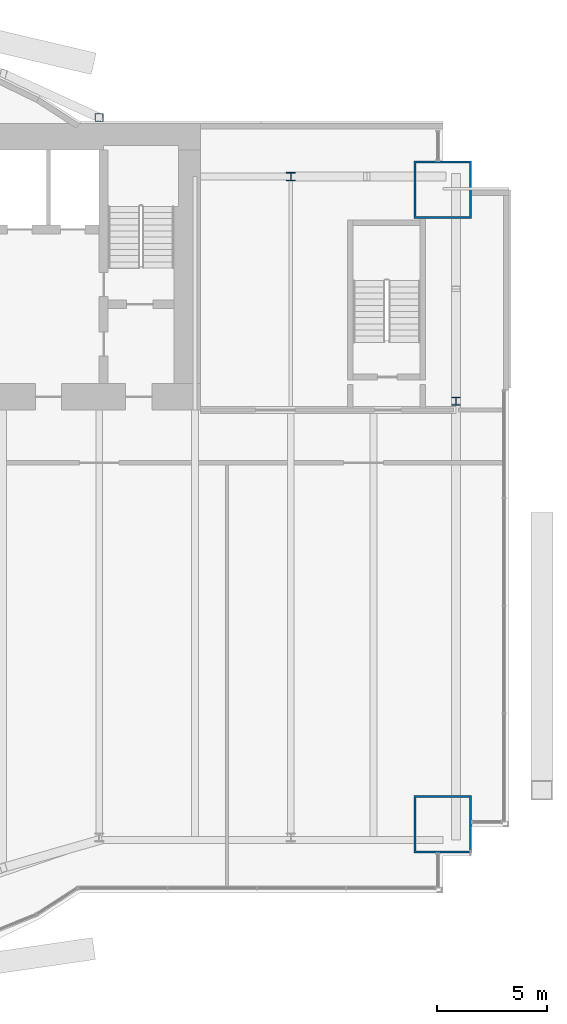
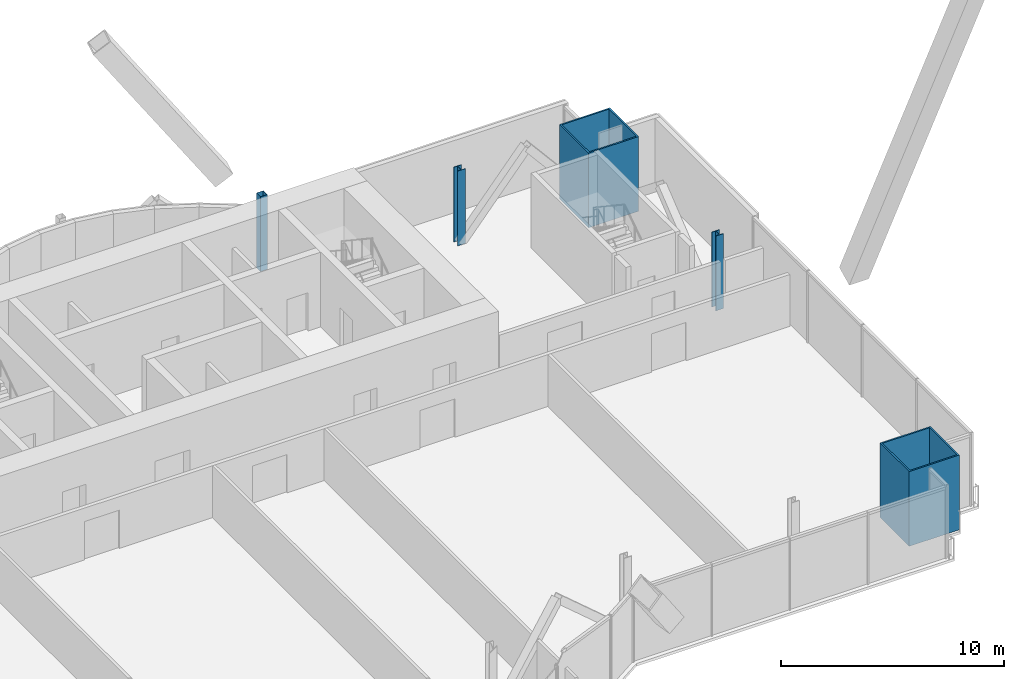
# One storey, part 4 of 24: 5 columns.
"""IFC4 building model written with IfcOpenShell, lengths in metres."""

import ifcopenshell
import ifcopenshell.guid

model = None  # the IFC model being written
_history = None  # IfcOwnerHistory: only IFC2X3 demands one
_inside = {}  # id of a spatial element -> (the spatial element, [elements in it])
_under = {}  # id of a project, library or spatial element -> (it, [spatial elements below it])
_declared = {}  # id of a project -> (the project, [libraries it declares])
_typed = {}  # id of a type object -> (the type object, [elements of that type])
_made_of = {}  # id of a material, layer set ... -> (it, [elements and type objects made of it])


def new_model(schema):
    """Start an empty IFC model of exactly this schema.

    Asked for "IFC4X3", IfcOpenShell would pick the latest addendum, in which some entities
    have other attributes; the version numbers below select the first issue.
    IFC2X3 requires an IfcOwnerHistory on every rooted entity: one is made here for all.
    """
    global model, _history
    if schema == "IFC4X3":
        model = ifcopenshell.file(schema_version=(4, 3, 0, 0))
    else:
        model = ifcopenshell.file(schema=schema)
    _inside.clear()
    _under.clear()
    _declared.clear()
    _typed.clear()
    _made_of.clear()
    _history = None
    if model.schema == "IFC2X3":
        org = make("IfcOrganization", Name="unknown")
        user = make(
            "IfcPersonAndOrganization",
            ThePerson=make("IfcPerson", FamilyName="unknown"),
            TheOrganization=org,
        )
        app = make(
            "IfcApplication",
            ApplicationDeveloper=org,
            Version="unknown",
            ApplicationFullName="unknown",
            ApplicationIdentifier="unknown",
        )
        _history = make(
            "IfcOwnerHistory",
            OwningUser=user,
            OwningApplication=app,
            ChangeAction="ADDED",
            CreationDate=0,
        )
    return model


def make(cls, **values):
    """One entity of the class cls with the attributes given. An attribute that is None is left unset."""
    return model.create_entity(
        cls, **{name: value for name, value in values.items() if value is not None}
    )


def rooted(cls, **values):
    """An entity with a GlobalId (a new one), such as an element, a storey or a relation."""
    return make(cls, GlobalId=ifcopenshell.guid.new(), OwnerHistory=_history, **values)


def si_unit(unit_type, name, prefix=None):
    """IfcSIUnit, for example si_unit("LENGTHUNIT", "METRE", prefix="MILLI")."""
    return make("IfcSIUnit", UnitType=unit_type, Prefix=prefix, Name=name)


def assignment(units):
    """IfcUnitAssignment: the units of a project."""
    return None if units is None else make("IfcUnitAssignment", Units=units)


def point(xyz):
    """IfcCartesianPoint."""
    return None if xyz is None else make("IfcCartesianPoint", Coordinates=xyz)


def direction(xyz):
    """IfcDirection."""
    return None if xyz is None else make("IfcDirection", DirectionRatios=xyz)


def frame(location, z_axis=None, x_axis=None):
    """IfcAxis2Placement3D, a coordinate frame: its origin and axes. An axis left out is left unset."""
    return make(
        "IfcAxis2Placement3D",
        Location=point(location),
        Axis=direction(z_axis),
        RefDirection=direction(x_axis),
    )


def frame_2d(location, x_axis=None):
    """IfcAxis2Placement2D, a coordinate frame in the plane: its origin and x axis."""
    return make(
        "IfcAxis2Placement2D", Location=point(location), RefDirection=direction(x_axis)
    )


def origin():
    """The frame at (0, 0, 0) with its axes left unset."""
    return frame((0.0, 0.0, 0.0))


def origin_2d():
    """The frame at (0, 0) in the plane with its x axis left unset."""
    return frame_2d((0.0, 0.0))


def place(relative_to, where):
    """IfcLocalPlacement: puts the frame where relative to a parent placement (None: the world)."""
    return make(
        "IfcLocalPlacement", PlacementRelTo=relative_to, RelativePlacement=where
    )


def context(
    kind, dimensions, precision=None, world=None, true_north=None, identifier=None
):
    """IfcGeometricRepresentationContext, for example the 3D "Model" context."""
    return make(
        "IfcGeometricRepresentationContext",
        ContextIdentifier=identifier,
        ContextType=kind,
        CoordinateSpaceDimension=dimensions,
        Precision=precision,
        WorldCoordinateSystem=world,
        TrueNorth=true_north,
    )


def subcontext(parent, identifier, kind, view, scale=None):
    """IfcGeometricRepresentationSubContext, for example "Body" below "Model"."""
    return make(
        "IfcGeometricRepresentationSubContext",
        ContextIdentifier=identifier,
        ContextType=kind,
        ParentContext=parent,
        TargetScale=scale,
        TargetView=view,
    )


def project(units=None, contexts=None):
    """IfcProject with its units and contexts."""
    return rooted(
        "IfcProject",
        Name="project",
        RepresentationContexts=contexts,
        UnitsInContext=assignment(units),
    )


def spatial(cls, under=None, at=None, **own):
    """A site, building, storey or space (cls), placed at a placement, below another one or the project."""
    s = rooted(cls, ObjectPlacement=at, **own)
    if under is not None:
        _under.setdefault(under.id(), (under, []))[1].append(s)
    return s


def profile(cls, at=None, kind="AREA", **sizes):
    """A parametric profile (cls). Its sizes go by their IFC names, for example OverallWidth=200.0."""
    return make(cls, ProfileType=kind, Position=at, **sizes)


def hollow_rectangle(**sizes):
    """IfcRectangleHollowProfileDef."""
    return profile("IfcRectangleHollowProfileDef", **sizes)


def i_section(**sizes):
    """IfcIShapeProfileDef."""
    return profile("IfcIShapeProfileDef", **sizes)


def extrude(swept, where, along, depth):
    """IfcExtrudedAreaSolid: the profile swept, set in the frame where, extruded along a direction by depth."""
    return make(
        "IfcExtrudedAreaSolid",
        SweptArea=swept,
        Position=where,
        ExtrudedDirection=direction(along),
        Depth=depth,
    )


def shape(context_of_items, identifier, shape_type, items):
    """IfcShapeRepresentation: the items that make up one representation, for example the "Body"."""
    return make(
        "IfcShapeRepresentation",
        ContextOfItems=context_of_items,
        RepresentationIdentifier=identifier,
        RepresentationType=shape_type,
        Items=items,
    )


def material(Name=None, Category=None):
    """IfcMaterial."""
    return make("IfcMaterial", Name=Name, Category=Category)


def material_profile(
    of_material, cross_section, Name=None, Category=None, Priority=None
):
    """IfcMaterialProfile: a cross section and its material."""
    return make(
        "IfcMaterialProfile",
        Name=Name,
        Material=of_material,
        Profile=cross_section,
        Priority=Priority,
        Category=Category,
    )


def profile_set(profiles, Name=None, composite=None):
    """IfcMaterialProfileSet."""
    return make(
        "IfcMaterialProfileSet",
        Name=Name,
        MaterialProfiles=profiles,
        CompositeProfile=composite,
    )


def made_of(thing, what):
    """Note that an element or type object is made of a material, layer set ...; save() writes the relation."""
    if what is not None:
        _made_of.setdefault(what.id(), (what, []))[1].append(thing)
    return thing


def type_object(cls, material=None, **own):
    """A type object (cls), such as IfcWallType, which elements share."""
    return made_of(rooted(cls, **own), material)


def element(
    cls,
    number,
    at=None,
    inside=None,
    cuts=None,
    type_object=None,
    material=None,
    context=None,
    identifier="Body",
    shape_type=None,
    held_by="IfcProductDefinitionShape",
    body=None,
    shapes=None,
    **own,
):
    """One element of the class cls, such as IfcWall. Its Tag is "e" and its number.

    at: its placement. inside: the storey or other place that contains it. cuts: it is an
    opening in that element (IfcRelVoidsElement). A single representation is given by context,
    identifier, shape_type and body (its items); several are given by shapes. held_by: the class
    of the entity that holds the representations. save() writes the other relations.
    """
    e = rooted(cls, Tag="e%d" % number, ObjectPlacement=at, **own)
    if body is not None:
        shapes = [shape(context, identifier, shape_type, body)]
    if shapes is not None:
        e.Representation = make(held_by, Representations=shapes)
    if inside is not None:
        _inside.setdefault(inside.id(), (inside, []))[1].append(e)
    if cuts is not None:
        rooted(
            "IfcRelVoidsElement", RelatingBuildingElement=cuts, RelatedOpeningElement=e
        )
    if type_object is not None:
        _typed.setdefault(type_object.id(), (type_object, []))[1].append(e)
    return made_of(e, material)


def aggregate(whole, parts):
    """IfcRelAggregates: a whole, such as a stair, and the parts it consists of."""
    return rooted("IfcRelAggregates", RelatingObject=whole, RelatedObjects=parts)


def save(model, path):
    """Write the relations noted so far, then the file.

    IfcRelAggregates (storeys below a building ...), IfcRelContainedInSpatialStructure (elements
    in a storey), IfcRelDefinesByType, IfcRelAssociatesMaterial and IfcRelDeclares: one each for
    every whole, place, type object, material and project.
    """
    for whole, parts in _under.values():
        aggregate(whole, parts)
    for where, things in _inside.values():
        rooted(
            "IfcRelContainedInSpatialStructure",
            RelatedElements=things,
            RelatingStructure=where,
        )
    for kind, things in _typed.values():
        rooted("IfcRelDefinesByType", RelatedObjects=things, RelatingType=kind)
    for what, things in _made_of.values():
        rooted("IfcRelAssociatesMaterial", RelatedObjects=things, RelatingMaterial=what)
    for by, libraries in _declared.values():
        rooted("IfcRelDeclares", RelatingContext=by, RelatedDefinitions=libraries)
    model.write(path)


model = new_model("IFC4")

# Units and contexts
model_context = context("Model", 3, precision=1e-05, world=origin(), true_north=direction((0.0, 1.0)))
body_context = subcontext(model_context, "Body", "Model", "MODEL_VIEW")
ifc_project = project(units=[si_unit("LENGTHUNIT", "METRE"), si_unit("AREAUNIT", "SQUARE_METRE"), si_unit("VOLUMEUNIT", "CUBIC_METRE"), si_unit("PLANEANGLEUNIT", "RADIAN"), si_unit("MASSUNIT", "GRAM", prefix="KILO")], contexts=[model_context])

# Site, building, storey
site_placement = place(None, origin())
site = spatial("IfcSite", under=ifc_project, at=site_placement, CompositionType="ELEMENT")
building_placement = place(site_placement, origin())
building = spatial("IfcBuilding", under=site, at=building_placement, Name="Bicima Exchange Tower", CompositionType="ELEMENT")
storey_placement = place(building_placement, frame((0.0, 0.0, 160.89990234375)))
storey = spatial("IfcBuildingStorey", under=building, at=storey_placement, Name="L35", CompositionType="ELEMENT", Elevation=160.89990234375)

# Columns
ifc_material_1 = material(Name="Steel ASTM A572 Gr 50", Category="steel")
ifc_material_profile_1 = material_profile(ifc_material_1, hollow_rectangle(XDim=2.60009765625, YDim=2.60009765625, WallThickness=0.080078125, at=origin_2d()))
ifc_profile_set_1 = profile_set([ifc_material_profile_1], Name="Steel ASTM A572 Gr 50")
column_type_1 = type_object("IfcColumnType", Name="Mega column BOX 2600x2600x80", PredefinedType="COLUMN", material=ifc_profile_set_1)
for number, where, z_axis, x_axis, name in (
    (1, (33.0, -31.802001953125, 0.0), (0.0, 0.0, 1.0), (1.0, 0.0, 0.0), "Mega column mega+33.0f"),
    (2, (33.0, -3.0, 0.0), (0.0, 0.0, 1.0), (1.0, 0.0, 0.0), "Mega column mega+33.0r"),
):
    element("IfcColumn", number, at=place(storey_placement, frame(where, z_axis=z_axis, x_axis=x_axis)), inside=storey, type_object=column_type_1, Name=name, PredefinedType="COLUMN", context=body_context, shape_type="SweptSolid", body=[
        extrude(hollow_rectangle(XDim=2.60009765625, YDim=2.60009765625, WallThickness=0.080078125, at=origin_2d()), origin(), (0.0, 0.0, 1.0), 4.10009765625),
    ])
ifc_material_2 = material(Name="Steel ASTM A992 Gr 50", Category="steel")
ifc_material_profile_2 = material_profile(ifc_material_2, i_section(OverallWidth=0.396240234375, OverallDepth=0.381103515625, WebThickness=0.01904296875, FlangeThickness=0.0302734375, at=origin_2d()))
ifc_profile_set_2 = profile_set([ifc_material_profile_2], Name="Steel ASTM A992 Gr 50")
column_type_2 = type_object("IfcColumnType", Name="Perimeter column W14x159", PredefinedType="COLUMN", material=ifc_profile_set_2)
for number, where, z_axis, x_axis, name in (
    (3, (26.10009765625, -2.39990234375, 0.0), (0.0, 0.0, 1.0), (1.0, 0.0, 0.0), "Perimeter column grav+26.1r"),
    (4, (33.60009765625, -12.60009765625, 0.0), (0.0, 0.0, 1.0), (1.0, 0.0, 0.0), "End column end+33.6e"),
):
    element("IfcColumn", number, at=place(storey_placement, frame(where, z_axis=z_axis, x_axis=x_axis)), inside=storey, type_object=column_type_2, Name=name, PredefinedType="COLUMN", context=body_context, shape_type="SweptSolid", body=[
        extrude(i_section(OverallWidth=0.396240234375, OverallDepth=0.381103515625, WebThickness=0.01904296875, FlangeThickness=0.0302734375, at=origin_2d()), origin(), (0.0, 0.0, 1.0), 4.10009765625),
    ])
ifc_material_profile_3 = material_profile(ifc_material_1, hollow_rectangle(XDim=0.355712890625, YDim=0.355712890625, WallThickness=0.01171875, at=origin_2d()))
ifc_profile_set_3 = profile_set([ifc_material_profile_3], Name="Steel ASTM A572 Gr 50")
column_type_3 = type_object("IfcColumnType", Name="Rear pilaster HSS14x14x1/2", PredefinedType="COLUMN", material=ifc_profile_set_3)
column_placement = place(storey_placement, frame((17.39990234375, 0.278076171875, 0.0), z_axis=(0.0, 0.0, 1.0), x_axis=(1.0, 0.0, 0.0)))
element("IfcColumn", 5, at=column_placement, inside=storey, type_object=column_type_3, Name="Rear pilaster rexo+17.4r", PredefinedType="COLUMN", context=body_context, shape_type="SweptSolid", body=[
    extrude(hollow_rectangle(XDim=0.355712890625, YDim=0.355712890625, WallThickness=0.01171875, at=origin_2d()), origin(), (0.0, 0.0, 1.0), 4.10009765625),
])

save(model, "model.ifc")
